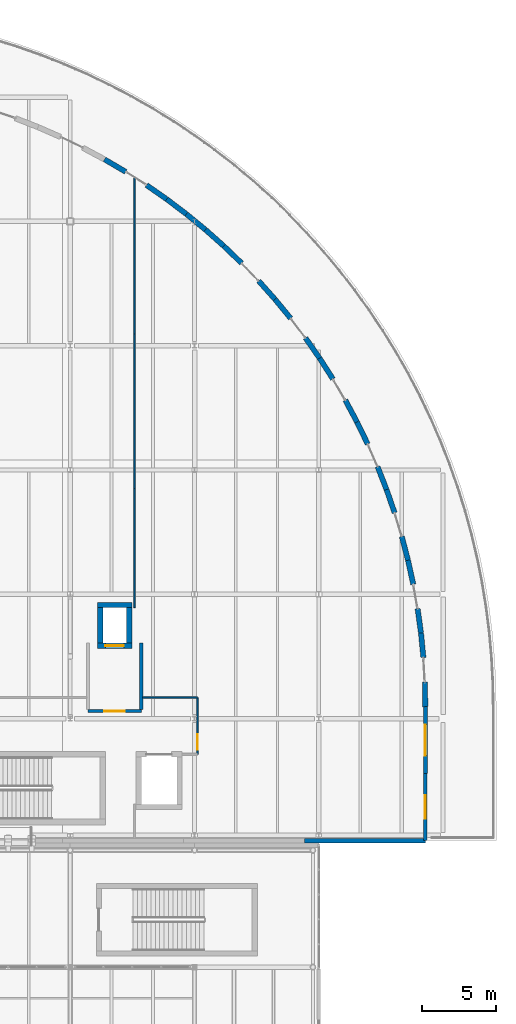
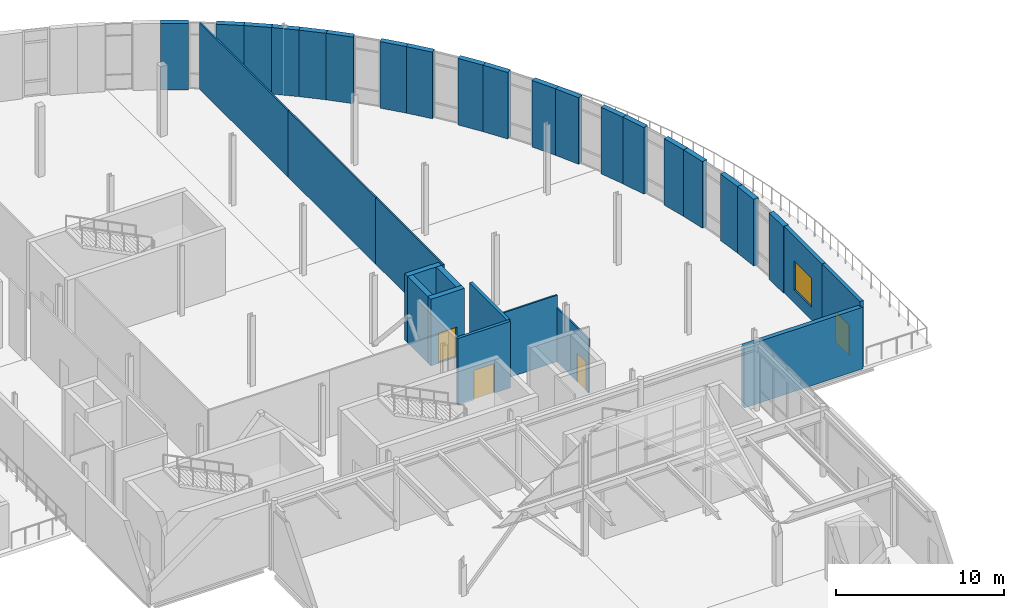
# One storey, part 71 of 91: 33 walls, 4 doors, 1 window, 5 openings.
"""IFC4 building model written with IfcOpenShell, lengths in metres."""

from ifc_helpers import new_model, si_unit, direction, frame, frame_2d, origin, place, context, subcontext, project, spatial, rectangle, extrude, material, layer, layer_set, type_object, element, fill, save


model = new_model("IFC4")

# Units and contexts
model_context = context("Model", 3, precision=1e-05, world=origin(), true_north=direction((0.0, 1.0)))
body_context = subcontext(model_context, "Body", "Model", "MODEL_VIEW")
ifc_project = project(units=[si_unit("LENGTHUNIT", "METRE"), si_unit("AREAUNIT", "SQUARE_METRE"), si_unit("VOLUMEUNIT", "CUBIC_METRE"), si_unit("PLANEANGLEUNIT", "RADIAN"), si_unit("MASSUNIT", "GRAM", prefix="KILO"), si_unit("THERMODYNAMICTEMPERATUREUNIT", "KELVIN")], contexts=[model_context])

# Site, building, storey
site_placement = place(None, origin())
site = spatial("IfcSite", under=ifc_project, at=site_placement, CompositionType="ELEMENT")
building_placement = place(site_placement, origin())
building = spatial("IfcBuilding", under=site, at=building_placement, Name="Lustrewick Department Store", CompositionType="ELEMENT")
storey_placement = place(building_placement, frame((0.0, 0.0, 21.60009765625)))
storey = spatial("IfcBuildingStorey", under=building, at=storey_placement, Name="L05", CompositionType="ELEMENT", Elevation=21.60009765625)

# Wall, opening, door
ifc_material_1 = material(Name="Precast concrete C40", Category="concrete")
ifc_layer_1 = layer(ifc_material_1, 0.239990234375, Name="Precast concrete C40")
ifc_layer_set_1 = layer_set([ifc_layer_1], Name="Precast concrete C40")
wall_type_1 = type_object("IfcWallType", Name="EW01", PredefinedType="STANDARD", material=ifc_layer_set_1)
wall_1_placement = place(storey_placement, frame((158.39990234375, 50.550048828125, 0.0), z_axis=(0.0, 0.0, 1.0), x_axis=(0.0, 1.0, 0.0)))
wall_1 = element("IfcWall", 1, at=wall_1_placement, inside=storey, type_object=wall_type_1, Name="L05 V4 Exterior Wall EW01", PredefinedType="STANDARD", context=body_context, shape_type="SweptSolid", body=[
    extrude(rectangle(XDim=4.52490234375, YDim=0.239990234375, at=frame_2d((2.262451171875, 0.0))), origin(), (0.0, 0.0, 1.0), 4.844970703125),
])
opening_1_placement = place(wall_1_placement, frame((1.46240234375, 0.0, 0.0)))
opening_1 = element("IfcOpeningElement", 2, at=opening_1_placement, cuts=wall_1, Name="Opening D-TR06", PredefinedType="OPENING", context=body_context, shape_type="SweptSolid", body=[
    extrude(rectangle(XDim=1.60009765625, YDim=2.199951171875, at=frame_2d((0.800048828125, 1.10009765625))), frame((0.0, 0.1298828125, 0.0), z_axis=(0.0, -1.0, 0.0), x_axis=(1.0, 0.0, 0.0)), (0.0, 0.0, 1.0), 0.260009765625),
])
ifc_material_2 = material(Name="Steel fire-rated terrace exit door EI 60", Category="steel")
door_type_1 = type_object("IfcDoorType", Name="DT-03", OperationType="NOTDEFINED", PredefinedType="DOOR", material=ifc_material_2)
door_1_placement = place(opening_1_placement, frame((1.60009765625, 0.0, 0.0), z_axis=(0.0, 0.0, 1.0), x_axis=(-1.0, 0.0, 0.0)))
door_1 = element("IfcDoor", 3, at=door_1_placement, inside=storey, type_object=door_type_1, Name="L05 Terrace and Refuge Access Door D-TR06", OperationType="DOUBLE_DOOR_SINGLE_SWING", OverallHeight=2.199951171875, OverallWidth=1.60009765625, PredefinedType="DOOR", context=body_context, shape_type="SweptSolid", body=[
    extrude(rectangle(XDim=1.60009765625, YDim=2.199951171875, at=frame_2d((0.800048828125, 1.10009765625))), frame((0.0, 0.02490234375, 0.0), z_axis=(0.0, -1.0, 0.0), x_axis=(1.0, 0.0, 0.0)), (0.0, 0.0, 1.0), 0.050048828125),
])
fill(opening_1, door_1)

# Wall, opening, window
ifc_layer_2 = layer(ifc_material_1, 0.260009765625, Name="Precast concrete C40")
ifc_layer_set_2 = layer_set([ifc_layer_2], Name="Precast concrete C40")
wall_type_2 = type_object("IfcWallType", Name="EW02", PredefinedType="STANDARD", material=ifc_layer_set_2)
wall_2_placement = place(storey_placement, frame((158.39990234375, 55.074951171875, 0.0), z_axis=(0.0, 0.0, 1.0), x_axis=(0.0, 1.0, 0.0)))
wall_2 = element("IfcWall", 4, at=wall_2_placement, inside=storey, type_object=wall_type_2, Name="L05 V4 Exterior Wall EW02", PredefinedType="STANDARD", context=body_context, shape_type="SweptSolid", body=[
    extrude(rectangle(XDim=4.525146484375, YDim=0.260009765625, at=frame_2d((2.2626953125, 0.0))), origin(), (0.0, 0.0, 1.0), 4.844970703125),
])
opening_2_placement = place(wall_2_placement, frame((1.21240234375, 0.0, 0.949951171875)))
opening_2 = element("IfcOpeningElement", 5, at=opening_2_placement, cuts=wall_2, Name="Opening WN11", PredefinedType="OPENING", context=body_context, shape_type="SweptSolid", body=[
    extrude(rectangle(XDim=2.10009765625, YDim=2.10009765625, at=frame_2d((1.050048828125, 1.050048828125))), frame((0.0, 0.14013671875, 0.0), z_axis=(0.0, -1.0, 0.0), x_axis=(1.0, 0.0, 0.0)), (0.0, 0.0, 1.0), 0.280029296875),
])
ifc_material_3 = material(Name="Thermally broken Low-E triple-glazed window", Category="glass")
window_type = type_object("IfcWindowType", Name="WN11", PartitioningType="DOUBLE_PANEL_VERTICAL", PredefinedType="WINDOW", material=ifc_material_3)
window_placement = place(opening_2_placement, origin())
window = element("IfcWindow", 6, at=window_placement, inside=storey, type_object=window_type, Name="L05 Art Nouveau Window WN11", OverallHeight=2.10009765625, OverallWidth=2.10009765625, PartitioningType="SINGLE_PANEL", PredefinedType="WINDOW", context=body_context, shape_type="SweptSolid", body=[
    extrude(rectangle(XDim=2.10009765625, YDim=2.10009765625, at=frame_2d((1.050048828125, 1.050048828125))), frame((0.0, 0.030029296875, 0.0), z_axis=(0.0, -1.0, 0.0), x_axis=(1.0, 0.0, 0.0)), (0.0, 0.0, 1.0), 0.06005859375),
])
fill(opening_2, window)

# Walls
ifc_layer_3 = layer(ifc_material_1, 0.300048828125, Name="Precast concrete C40")
ifc_layer_set_3 = layer_set([ifc_layer_3], Name="Precast concrete C40")
wall_type_3 = type_object("IfcWallType", Name="EW04", PredefinedType="STANDARD", material=ifc_layer_set_3)
wall_3_placement = place(storey_placement, frame((150.22509765625, 50.550048828125, 0.0), z_axis=(0.0, 0.0, 1.0), x_axis=(1.0, 0.0, 0.0)))
element("IfcWall", 7, at=wall_3_placement, inside=storey, type_object=wall_type_3, Name="L05 V4 Exterior Wall EW04", PredefinedType="STANDARD", context=body_context, shape_type="SweptSolid", body=[
    extrude(rectangle(XDim=8.1748046875, YDim=0.300048828125, at=frame_2d((4.08740234375, 0.0))), origin(), (0.0, 0.0, 1.0), 4.48681640625),
])
ifc_layer_4 = layer(ifc_material_1, 0.35009765625, Name="Precast concrete C40")
ifc_layer_set_4 = layer_set([ifc_layer_4], Name="Precast concrete C40")
wall_type_4 = type_object("IfcWallType", Name="EW06", PredefinedType="STANDARD", material=ifc_layer_set_4)
for number, where, z_axis, x_axis, name in (
    (8, (158.39990234375, 59.60009765625, 0.0), (0.0, 0.0, 1.0), (-0.019650062647, 0.999806918879, 0.0), "L05 V4 Exterior Wall EW06"),
    (9, (158.269287109375, 62.9267578125, 0.0), (0.0, 0.0, 1.0), (-0.097964465382, 0.995189913294, 0.0), "L05 V4 Exterior Wall EW06"),
):
    element("IfcWall", number, at=place(storey_placement, frame(where, z_axis=z_axis, x_axis=x_axis)), inside=storey, type_object=wall_type_4, Name=name, PredefinedType="STANDARD", context=body_context, shape_type="SweptSolid", body=[
        extrude(rectangle(XDim=1.664794921875, YDim=0.35009765625, at=frame_2d((0.83251953125, 0.0))), origin(), (0.0, 0.0, 1.0), 4.844970703125),
    ])
wall_4_placement = place(storey_placement, frame((158.106201171875, 64.58349609375, 0.0), z_axis=(0.0, 0.0, 1.0), x_axis=(-0.137088874018, 0.990558751726, 0.0)))
element("IfcWall", 10, at=wall_4_placement, inside=storey, type_object=wall_type_4, Name="L05 V4 Exterior Wall EW06", PredefinedType="STANDARD", context=body_context, shape_type="SweptSolid", body=[
    extrude(rectangle(XDim=1.6650390625, YDim=0.35009765625, at=frame_2d((0.83251953125, 0.0))), origin(), (0.0, 0.0, 1.0), 4.844970703125),
])
wall_5_placement = place(storey_placement, frame((157.585205078125, 67.871826171875, 0.0), z_axis=(0.0, 0.0, 1.0), x_axis=(-0.21424350588, 0.976780282453, 0.0)))
element("IfcWall", 11, at=wall_5_placement, inside=storey, type_object=wall_type_4, Name="L05 V4 Exterior Wall EW06", PredefinedType="STANDARD", context=body_context, shape_type="SweptSolid", body=[
    extrude(rectangle(XDim=1.664794921875, YDim=0.35009765625, at=frame_2d((0.83251953125, 0.0))), origin(), (0.0, 0.0, 1.0), 4.844970703125),
])
wall_6_placement = place(storey_placement, frame((157.228515625, 69.498046875, 0.0), z_axis=(0.0, 0.0, 1.0), x_axis=(-0.252493523615, 0.9675985844, 0.0)))
element("IfcWall", 12, at=wall_6_placement, inside=storey, type_object=wall_type_4, Name="L05 V4 Exterior Wall EW06", PredefinedType="STANDARD", context=body_context, shape_type="SweptSolid", body=[
    extrude(rectangle(XDim=1.6650390625, YDim=0.35009765625, at=frame_2d((0.83251953125, 0.0))), origin(), (0.0, 0.0, 1.0), 4.844970703125),
])
for number, where, z_axis, x_axis, name in (
    (13, (156.32470703125, 72.702392578125, 0.0), (0.0, 0.0, 1.0), (-0.327599069804, 0.944816833817, 0.0), "L05 V4 Exterior Wall EW06"),
    (14, (155.779296875, 74.275390625, 0.0), (0.0, 0.0, 1.0), (-0.364426995684, 0.931231960801, 0.0), "L05 V4 Exterior Wall EW06"),
    (15, (154.50537109375, 77.351318359375, 0.0), (0.0, 0.0, 1.0), (-0.436446213737, 0.899730349891, 0.0), "L05 V4 Exterior Wall EW06"),
    (16, (153.77880859375, 78.84912109375, 0.0), (0.0, 0.0, 1.0), (-0.471448063801, 0.881893827588, 0.0), "L05 V4 Exterior Wall EW06"),
):
    element("IfcWall", number, at=place(storey_placement, frame(where, z_axis=z_axis, x_axis=x_axis)), inside=storey, type_object=wall_type_4, Name=name, PredefinedType="STANDARD", context=body_context, shape_type="SweptSolid", body=[
        extrude(rectangle(XDim=1.664794921875, YDim=0.35009765625, at=frame_2d((0.83251953125, 0.0))), origin(), (0.0, 0.0, 1.0), 4.844970703125),
    ])
for number, where, z_axis, x_axis, name in (
    (17, (152.15185546875, 81.75390625, 0.0), (0.0, 0.0, 1.0), (-0.539037051954, 0.84228205289, 0.0), "L05 V4 Exterior Wall EW06"),
    (18, (151.25439453125, 83.15625, 0.0), (0.0, 0.0, 1.0), (-0.571837518298, 0.82036690125, 0.0), "L05 V4 Exterior Wall EW06"),
    (19, (149.29736328125, 85.849609375, 0.0), (0.0, 0.0, 1.0), (-0.63433908186, 0.773054932864, 0.0), "L05 V4 Exterior Wall EW06"),
):
    element("IfcWall", number, at=place(storey_placement, frame(where, z_axis=z_axis, x_axis=x_axis)), inside=storey, type_object=wall_type_4, Name=name, PredefinedType="STANDARD", context=body_context, shape_type="SweptSolid", body=[
        extrude(rectangle(XDim=1.6650390625, YDim=0.35009765625, at=frame_2d((0.83251953125, 0.0))), origin(), (0.0, 0.0, 1.0), 4.844970703125),
    ])
for number, where, z_axis, x_axis, name in (
    (20, (148.2412109375, 87.13671875, 0.0), (0.0, 0.0, 1.0), (-0.664309223829, 0.747457861779, 0.0), "L05 V4 Exterior Wall EW06"),
    (21, (145.981201171875, 89.581298828125, 0.0), (0.0, 0.0, 1.0), (-0.720756976827, 0.693187839158, 0.0), "L05 V4 Exterior Wall EW06"),
):
    element("IfcWall", number, at=place(storey_placement, frame(where, z_axis=z_axis, x_axis=x_axis)), inside=storey, type_object=wall_type_4, Name=name, PredefinedType="STANDARD", context=body_context, shape_type="SweptSolid", body=[
        extrude(rectangle(XDim=1.664794921875, YDim=0.35009765625, at=frame_2d((0.83251953125, 0.0))), origin(), (0.0, 0.0, 1.0), 4.844970703125),
    ])
for number, where, z_axis, x_axis, name in (
    (22, (144.78125, 90.7353515625, 0.0), (0.0, 0.0, 1.0), (-0.747522567286, 0.66423641228, 0.0), "L05 V4 Exterior Wall EW06"),
    (23, (143.53662109375, 91.84130859375, 0.0), (0.0, 0.0, 1.0), (-0.773054932864, 0.63433908186, 0.0), "L05 V4 Exterior Wall EW06"),
):
    element("IfcWall", number, at=place(storey_placement, frame(where, z_axis=z_axis, x_axis=x_axis)), inside=storey, type_object=wall_type_4, Name=name, PredefinedType="STANDARD", context=body_context, shape_type="SweptSolid", body=[
        extrude(rectangle(XDim=1.6650390625, YDim=0.35009765625, at=frame_2d((0.83251953125, 0.0))), origin(), (0.0, 0.0, 1.0), 4.844970703125),
    ])
wall_7_placement = place(storey_placement, frame((142.24951171875, 92.8974609375, 0.0), z_axis=(0.0, 0.0, 1.0), x_axis=(-0.797299574841, 0.603583787024, 0.0)))
element("IfcWall", 24, at=wall_7_placement, inside=storey, type_object=wall_type_4, Name="L05 V4 Exterior Wall EW06", PredefinedType="STANDARD", context=body_context, shape_type="SweptSolid", body=[
    extrude(rectangle(XDim=1.664794921875, YDim=0.35009765625, at=frame_2d((0.83251953125, 0.0))), origin(), (0.0, 0.0, 1.0), 4.844970703125),
])
wall_8_placement = place(storey_placement, frame((140.922119140625, 93.90234375, 0.0), z_axis=(0.0, 0.0, 1.0), x_axis=(-0.820435685301, 0.571738826987, 0.0)))
element("IfcWall", 25, at=wall_8_placement, inside=storey, type_object=wall_type_4, Name="L05 V4 Exterior Wall EW06", PredefinedType="STANDARD", context=body_context, shape_type="SweptSolid", body=[
    extrude(rectangle(XDim=1.6650390625, YDim=0.35009765625, at=frame_2d((0.83251953125, 0.0))), origin(), (0.0, 0.0, 1.0), 4.844970703125),
])
wall_9_placement = place(storey_placement, frame((138.15380859375, 95.751953125, 0.0), z_axis=(0.0, 0.0, 1.0), x_axis=(-0.862739885574, 0.505647990049, 0.0)))
element("IfcWall", 26, at=wall_9_placement, inside=storey, type_object=wall_type_4, Name="L05 V4 Exterior Wall EW06", PredefinedType="STANDARD", context=body_context, shape_type="SweptSolid", body=[
    extrude(rectangle(XDim=1.664794921875, YDim=0.35009765625, at=frame_2d((0.83251953125, 0.0))), origin(), (0.0, 0.0, 1.0), 4.844970703125),
])

# Wall, opening, door
ifc_material_4 = material(Name="Autoclaved aerated concrete blockwork and fire board", Category="masonry")
ifc_layer_5 = layer(ifc_material_4, 0.205078125, Name="Autoclaved aerated concrete blockwork and fire board")
ifc_layer_set_5 = layer_set([ifc_layer_5], Name="Autoclaved aerated concrete blockwork and fire board")
wall_type_5 = type_object("IfcWallType", Name="PW02", PredefinedType="PARTITIONING", material=ifc_layer_set_5)
wall_10_placement = place(storey_placement, frame((135.60009765625, 59.300048828125, 0.0), z_axis=(0.0, 0.0, 1.0), x_axis=(1.0, 0.0, 0.0)))
wall_10 = element("IfcWall", 27, at=wall_10_placement, inside=storey, type_object=wall_type_5, Name="L05 Firefighting Lift Lobby FFL-03 PW02", PredefinedType="PARTITIONING", context=body_context, shape_type="SweptSolid", body=[
    extrude(rectangle(XDim=3.599853515625, YDim=0.205078125, at=frame_2d((1.7998046875, 0.0))), origin(), (0.0, 0.0, 1.0), 4.844970703125),
])
opening_3_placement = place(wall_10_placement, frame((1.10009765625, 0.0, 0.0)))
opening_3 = element("IfcOpeningElement", 28, at=opening_3_placement, cuts=wall_10, Name="Opening D-L05-048", PredefinedType="OPENING", context=body_context, shape_type="SweptSolid", body=[
    extrude(rectangle(XDim=1.39990234375, YDim=2.14990234375, at=frame_2d((0.699951171875, 1.074951171875))), frame((0.0, 0.112548828125, 0.0), z_axis=(0.0, -1.0, 0.0), x_axis=(1.0, 0.0, 0.0)), (0.0, 0.0, 1.0), 0.22509765625),
])
ifc_material_5 = material(Name="Steel fire door Class B EI 60", Category="steel")
door_type_2 = type_object("IfcDoorType", Name="DT-08", OperationType="NOTDEFINED", PredefinedType="DOOR", material=ifc_material_5)
door_2_placement = place(opening_3_placement, origin())
door_2 = element("IfcDoor", 29, at=door_2_placement, inside=storey, type_object=door_type_2, Name="L05 Firefighting Lift Lobby FFL-03 Door D-L05-048", OperationType="SINGLE_SWING_RIGHT", OverallHeight=2.14990234375, OverallWidth=1.39990234375, PredefinedType="DOOR", context=body_context, shape_type="SweptSolid", body=[
    extrude(rectangle(XDim=1.39990234375, YDim=2.14990234375, at=frame_2d((0.699951171875, 1.074951171875))), frame((0.0, 0.02490234375, 0.0), z_axis=(0.0, -1.0, 0.0), x_axis=(1.0, 0.0, 0.0)), (0.0, 0.0, 1.0), 0.050048828125),
])
fill(opening_3, door_2)

# Walls
wall_11_placement = place(storey_placement, frame((139.199951171875, 59.3974609375, 0.0), z_axis=(0.0, 0.0, 1.0), x_axis=(0.0, 1.0, 0.0)))
element("IfcWall", 30, at=wall_11_placement, inside=storey, type_object=wall_type_5, Name="L05 Firefighting Lift Lobby FFL-03 PW02", PredefinedType="PARTITIONING", context=body_context, shape_type="SweptSolid", body=[
    extrude(rectangle(XDim=4.50244140625, YDim=0.205078125, at=frame_2d((2.251220703125, 0.0))), origin(), (0.0, 0.0, 1.0), 4.844970703125),
])
ifc_material_6 = material(Name="Lightweight demountable studio partition", Category="gypsum")
ifc_layer_6 = layer(ifc_material_6, 0.10498046875, Name="Lightweight demountable studio partition")
ifc_layer_set_6 = layer_set([ifc_layer_6], Name="Lightweight demountable studio partition")
wall_type_6 = type_object("IfcWallType", Name="PW08", PredefinedType="PARTITIONING", material=ifc_layer_set_6)
wall_12_placement = place(storey_placement, frame((138.729248046875, 66.300048828125, 0.0), z_axis=(0.0, 0.0, 1.0), x_axis=(0.0, 1.0, 0.0)))
element("IfcWall", 31, at=wall_12_placement, inside=storey, type_object=wall_type_6, Name="L05 Store Buying Office PW08", PredefinedType="PARTITIONING", context=body_context, shape_type="SweptSolid", body=[
    extrude(rectangle(XDim=8.045654296875, YDim=0.10498046875, at=frame_2d((4.02294921875, 0.0))), origin(), (0.0, 0.0, 1.0), 4.844970703125),
])
wall_13_placement = place(storey_placement, frame((138.729248046875, 74.345703125, 0.0), z_axis=(0.0, 0.0, 1.0), x_axis=(0.0, 1.0, 0.0)))
element("IfcWall", 32, at=wall_13_placement, inside=storey, type_object=wall_type_6, Name="L05 Store Buying Office PW08", PredefinedType="PARTITIONING", context=body_context, shape_type="SweptSolid", body=[
    extrude(rectangle(XDim=10.435791015625, YDim=0.10498046875, at=frame_2d((5.2177734375, 0.0))), origin(), (0.0, 0.0, 1.0), 4.844970703125),
])
wall_14_placement = place(storey_placement, frame((138.729248046875, 84.781494140625, 0.0), z_axis=(0.0, 0.0, 1.0), x_axis=(0.0, 1.0, 0.0)))
element("IfcWall", 33, at=wall_14_placement, inside=storey, type_object=wall_type_6, Name="L05 Store Buying Office PW08", PredefinedType="PARTITIONING", context=body_context, shape_type="SweptSolid", body=[
    extrude(rectangle(XDim=10.578369140625, YDim=0.10498046875, at=frame_2d((5.2890625, 0.0))), origin(), (0.0, 0.0, 1.0), 4.844970703125),
])

# Wall, opening, door
wall_15_placement = place(storey_placement, frame((143.010009765625, 60.199951171875, 0.0), z_axis=(0.0, 0.0, 1.0), x_axis=(0.0, -1.0, 0.0)))
wall_15 = element("IfcWall", 34, at=wall_15_placement, inside=storey, type_object=wall_type_6, Name="L05 Merchandise Planning Office PW08", PredefinedType="PARTITIONING", context=body_context, shape_type="SweptSolid", body=[
    extrude(rectangle(XDim=3.800048828125, YDim=0.10498046875, at=frame_2d((1.89990234375, 0.0))), origin(), (0.0, 0.0, 1.0), 3.9248046875),
])
opening_4_placement = place(wall_15_placement, frame((2.449951171875, 0.0, 0.0)))
opening_4 = element("IfcOpeningElement", 35, at=opening_4_placement, cuts=wall_15, Name="Opening D-L05-051", PredefinedType="OPENING", context=body_context, shape_type="SweptSolid", body=[
    extrude(rectangle(XDim=1.050048828125, YDim=2.10009765625, at=frame_2d((0.52490234375, 1.050048828125))), frame((0.0, 0.0625, 0.0), z_axis=(0.0, -1.0, 0.0), x_axis=(1.0, 0.0, 0.0)), (0.0, 0.0, 1.0), 0.125),
])
ifc_material_7 = material(Name="Acoustic oak veneer office door", Category="wood")
door_type_3 = type_object("IfcDoorType", Name="DT-10", OperationType="NOTDEFINED", PredefinedType="DOOR", material=ifc_material_7)
door_3_placement = place(opening_4_placement, origin())
door_3 = element("IfcDoor", 36, at=door_3_placement, inside=storey, type_object=door_type_3, Name="L05 Merchandise Planning Office Door D-L05-051", OperationType="SINGLE_SWING_LEFT", OverallHeight=2.10009765625, OverallWidth=1.050048828125, PredefinedType="DOOR", context=body_context, shape_type="SweptSolid", body=[
    extrude(rectangle(XDim=1.050048828125, YDim=2.10009765625, at=frame_2d((0.52490234375, 1.050048828125))), frame((0.0, 0.02490234375, 0.0), z_axis=(0.0, -1.0, 0.0), x_axis=(1.0, 0.0, 0.0)), (0.0, 0.0, 1.0), 0.050048828125),
])
fill(opening_4, door_3)

# Wall
wall_16_placement = place(storey_placement, frame((139.297607421875, 60.2099609375, 0.0), z_axis=(0.0, 0.0, 1.0), x_axis=(1.0, 0.0, 0.0)))
element("IfcWall", 37, at=wall_16_placement, inside=storey, type_object=wall_type_6, Name="L05 Merchandise Planning Office PW08", PredefinedType="PARTITIONING", context=body_context, shape_type="SweptSolid", body=[
    extrude(rectangle(XDim=3.702392578125, YDim=0.10498046875, at=frame_2d((1.85107421875, 0.0))), origin(), (0.0, 0.0, 1.0), 4.844970703125),
])

# Wall, opening, door
ifc_material_8 = material(Name="Concrete C40", Category="concrete")
ifc_layer_7 = layer(ifc_material_8, 0.360107421875, Name="Concrete C40")
ifc_layer_set_7 = layer_set([ifc_layer_7], Name="Concrete C40")
wall_type_7 = type_object("IfcWallType", Name="SW04", PredefinedType="SHEAR", material=ifc_layer_set_7)
wall_17_placement = place(storey_placement, frame((136.239990234375, 63.719970703125, 0.0), z_axis=(0.0, 0.0, 1.0), x_axis=(1.0, 0.0, 0.0)))
wall_17 = element("IfcWall", 38, at=wall_17_placement, inside=storey, type_object=wall_type_7, Name="L05 Lift FFL-03 Shaft Wall -Y", PredefinedType="SHEAR", context=body_context, shape_type="SweptSolid", body=[
    extrude(rectangle(XDim=2.320068359375, YDim=0.360107421875, at=frame_2d((1.16015625, 0.0))), origin(), (0.0, 0.0, 1.0), 4.844970703125),
])
opening_5_placement = place(wall_17_placement, frame((0.534912109375, 0.0, 0.0)))
opening_5 = element("IfcOpeningElement", 39, at=opening_5_placement, cuts=wall_17, Name="Opening LD-L05-02", PredefinedType="OPENING", context=body_context, shape_type="SweptSolid", body=[
    extrude(rectangle(XDim=1.25, YDim=2.199951171875, at=frame_2d((0.625, 1.10009765625))), frame((0.0, 0.18994140625, 0.0), z_axis=(0.0, -1.0, 0.0), x_axis=(1.0, 0.0, 0.0)), (0.0, 0.0, 1.0), 0.380126953125),
])
ifc_material_9 = material(Name="Stainless steel firefighting lift landing door EI 90", Category="steel")
door_type_4 = type_object("IfcDoorType", Name="DT-15", OperationType="NOTDEFINED", PredefinedType="DOOR", material=ifc_material_9)
door_4_placement = place(opening_5_placement, frame((1.25, 0.0, 0.0), z_axis=(0.0, 0.0, 1.0), x_axis=(-1.0, 0.0, 0.0)))
door_4 = element("IfcDoor", 40, at=door_4_placement, inside=storey, type_object=door_type_4, Name="L05 Lift FFL-03 Sliding Landing Door LD-L05-02", OperationType="DOUBLE_DOOR_SLIDING", OverallHeight=2.199951171875, OverallWidth=1.25, PredefinedType="DOOR", context=body_context, shape_type="SweptSolid", body=[
    extrude(rectangle(XDim=1.25, YDim=2.199951171875, at=frame_2d((0.625, 1.10009765625))), frame((0.0, 0.02490234375, 0.0), z_axis=(0.0, -1.0, 0.0), x_axis=(1.0, 0.0, 0.0)), (0.0, 0.0, 1.0), 0.050048828125),
])
fill(opening_5, door_4)

# Walls
wall_18_placement = place(storey_placement, frame((138.3798828125, 63.89990234375, 0.0), z_axis=(0.0, 0.0, 1.0), x_axis=(0.0, 1.0, 0.0)))
element("IfcWall", 41, at=wall_18_placement, inside=storey, type_object=wall_type_7, Name="L05 Lift FFL-03 Shaft Wall +X", PredefinedType="SHEAR", context=body_context, shape_type="SweptSolid", body=[
    extrude(rectangle(XDim=2.400146484375, YDim=0.360107421875, at=frame_2d((1.2001953125, 0.0))), origin(), (0.0, 0.0, 1.0), 4.844970703125),
])
wall_19_placement = place(storey_placement, frame((138.56005859375, 66.47998046875, 0.0), z_axis=(0.0, 0.0, 1.0), x_axis=(-1.0, 0.0, 0.0)))
element("IfcWall", 42, at=wall_19_placement, inside=storey, type_object=wall_type_7, Name="L05 Lift FFL-03 Shaft Wall +Y", PredefinedType="SHEAR", context=body_context, shape_type="SweptSolid", body=[
    extrude(rectangle(XDim=2.320068359375, YDim=0.360107421875, at=frame_2d((1.16015625, 0.0))), origin(), (0.0, 0.0, 1.0), 4.844970703125),
])
wall_20_placement = place(storey_placement, frame((136.419921875, 66.300048828125, 0.0), z_axis=(0.0, 0.0, 1.0), x_axis=(0.0, -1.0, 0.0)))
element("IfcWall", 43, at=wall_20_placement, inside=storey, type_object=wall_type_7, Name="L05 Lift FFL-03 Shaft Wall -X", PredefinedType="SHEAR", context=body_context, shape_type="SweptSolid", body=[
    extrude(rectangle(XDim=2.400146484375, YDim=0.360107421875, at=frame_2d((1.2001953125, 0.0))), origin(), (0.0, 0.0, 1.0), 4.844970703125),
])

save(model, "model.ifc")
